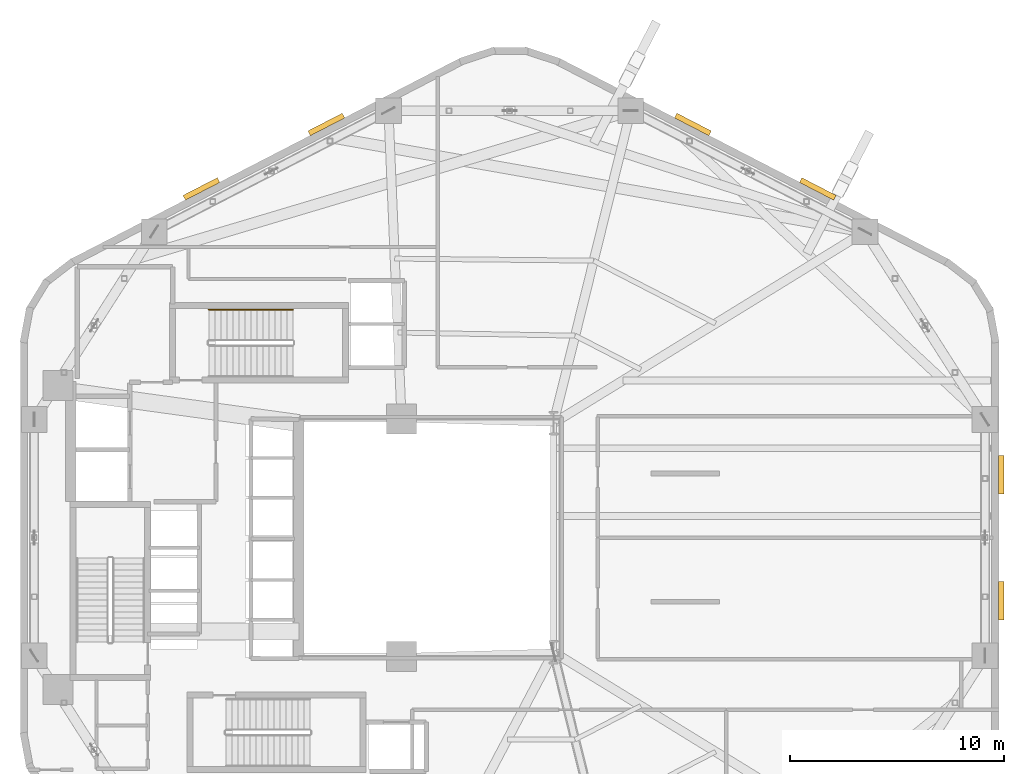
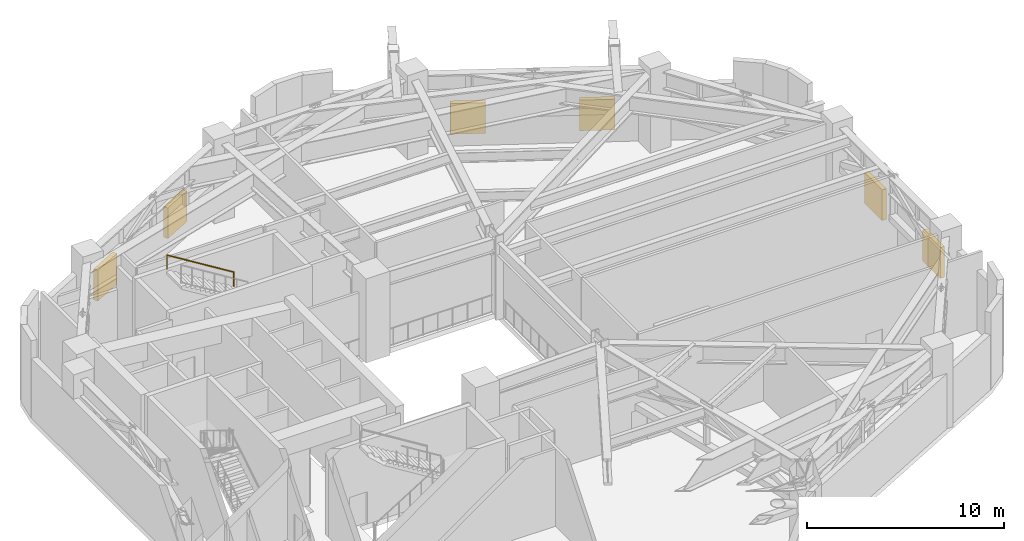
# One storey, part 14 of 14: 6 shading devices, 1 railing.
"""IFC4 building model written with IfcOpenShell, lengths in metres."""

from ifc_helpers import new_model, si_unit, direction, frame, origin, origin_2d, place, context, subcontext, project, spatial, rectangle, circle, extrude, material, type_object, element, save


model = new_model("IFC4")

# Units and contexts
model_context = context("Model", 3, precision=1e-05, world=origin(), true_north=direction((0.0, 1.0)))
body_context = subcontext(model_context, "Body", "Model", "MODEL_VIEW")
ifc_project = project(units=[si_unit("LENGTHUNIT", "METRE"), si_unit("AREAUNIT", "SQUARE_METRE"), si_unit("VOLUMEUNIT", "CUBIC_METRE"), si_unit("PLANEANGLEUNIT", "RADIAN"), si_unit("MASSUNIT", "GRAM", prefix="KILO"), si_unit("THERMODYNAMICTEMPERATUREUNIT", "KELVIN"), si_unit("POWERUNIT", "WATT")], contexts=[model_context])

# Site, building, storey
site_placement = place(None, origin())
site = spatial("IfcSite", under=ifc_project, at=site_placement, CompositionType="ELEMENT")
building_placement = place(site_placement, origin())
building = spatial("IfcBuilding", under=site, at=building_placement, Name="Skarre Station Tower", CompositionType="ELEMENT")
storey_placement = place(building_placement, frame((0.0, 0.0, 96.35009765625)))
storey = spatial("IfcBuildingStorey", under=building, at=storey_placement, Name="L25", CompositionType="ELEMENT", Elevation=96.35009765625)

# Railing
ifc_material_1 = material(Name="Powder-Coated Tubular Steel", Category="steel")
railing_type = type_object("IfcRailingType", Name="Painted Steel Ramp & Stair Handrail 920", PredefinedType="HANDRAIL", material=ifc_material_1)
railing_placement = place(storey_placement, frame((27.27001953125, 34.64990234375, 2.773193359375)))
element("IfcRailing", 1, at=railing_placement, inside=storey, type_object=railing_type, Name="L25 ST-3 stair handrail 2", PredefinedType="HANDRAIL", context=body_context, shape_type="SweptSolid", body=[
    extrude(circle(Radius=0.02392578125, at=origin_2d()), frame((0.0, 0.0, 0.8759765625), z_axis=(-0.850251603719, 0.0, 0.526376491091), x_axis=(0.0, -1.0, 0.0)), (0.0, 0.0, 1.0), 4.6103515625),
    extrude(circle(Radius=0.02099609375, at=origin_2d()), origin(), (0.0, 0.0, 1.0), 0.851806640625),
    extrude(circle(Radius=0.02099609375, at=origin_2d()), frame((-3.919921875, 0.0, 2.4267578125)), (0.0, 0.0, 1.0), 0.851806640625),
])

# Shading devices
ifc_material_2 = material(Name="Powder-Coated Aluminium Acoustic Louvre", Category="aluminium")
shading_device_type = type_object("IfcShadingDeviceType", Name="Plant Intake Acoustic Weather Louvre 1800x2200", PredefinedType="JALOUSIE", material=ifc_material_2)
for number, where, z_axis, x_axis, name in (
    (2, (45.962890625, 43.303955078125, 0.5), (0.0, 0.0, 1.0), (0.458618535612, 0.888633242003, 0.0), "L25 Facet 0 Mechanical Intake Louvre 1"),
    (3, (51.801025390625, 40.291015625, 0.5), (0.0, 0.0, 1.0), (0.458618535612, 0.888633242003, 0.0), "L25 Facet 0 Mechanical Intake Louvre 2"),
    (4, (22.9990234375, 40.291015625, 0.5), (0.0, 0.0, 1.0), (-0.458618535612, 0.888633242003, 0.0), "L25 Facet 1 Mechanical Intake Louvre 1"),
    (5, (28.8369140625, 43.303955078125, 0.5), (0.0, 0.0, 1.0), (-0.458618535612, 0.888633242003, 0.0), "L25 Facet 1 Mechanical Intake Louvre 2"),
    (6, (60.373046875, 26.945068359375, 0.5), (0.0, 0.0, 1.0), (1.0, 0.0, 0.0), "L25 Facet 5 Mechanical Intake Louvre 1"),
    (7, (60.373046875, 21.054931640625, 0.5), (0.0, 0.0, 1.0), (1.0, 0.0, 0.0), "L25 Facet 5 Mechanical Intake Louvre 2"),
):
    element("IfcShadingDevice", number, at=place(storey_placement, frame(where, z_axis=z_axis, x_axis=x_axis)), inside=storey, type_object=shading_device_type, Name=name, PredefinedType="JALOUSIE", context=body_context, shape_type="SweptSolid", body=[
        extrude(rectangle(XDim=0.25, YDim=1.800048828125, at=origin_2d()), origin(), (0.0, 0.0, 1.0), 1.89990234375),
    ])

save(model, "model.ifc")
